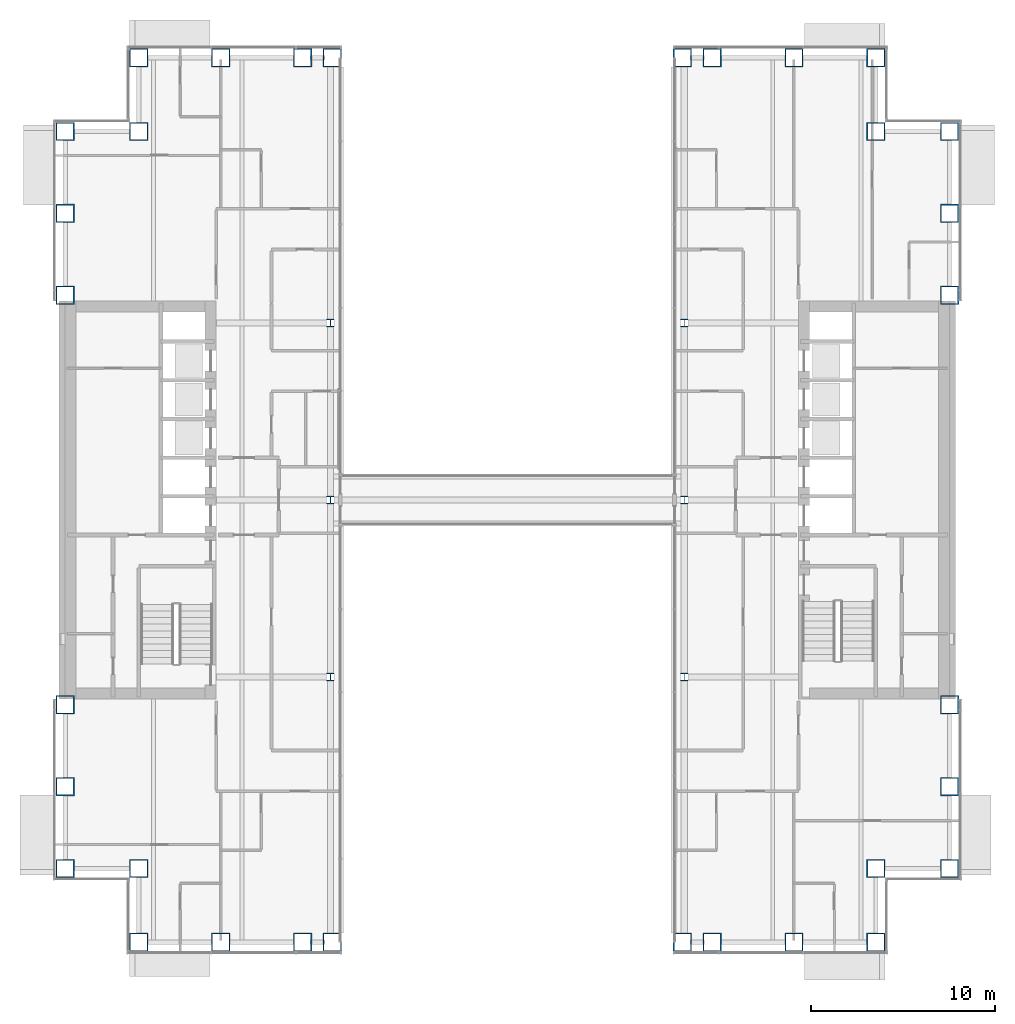
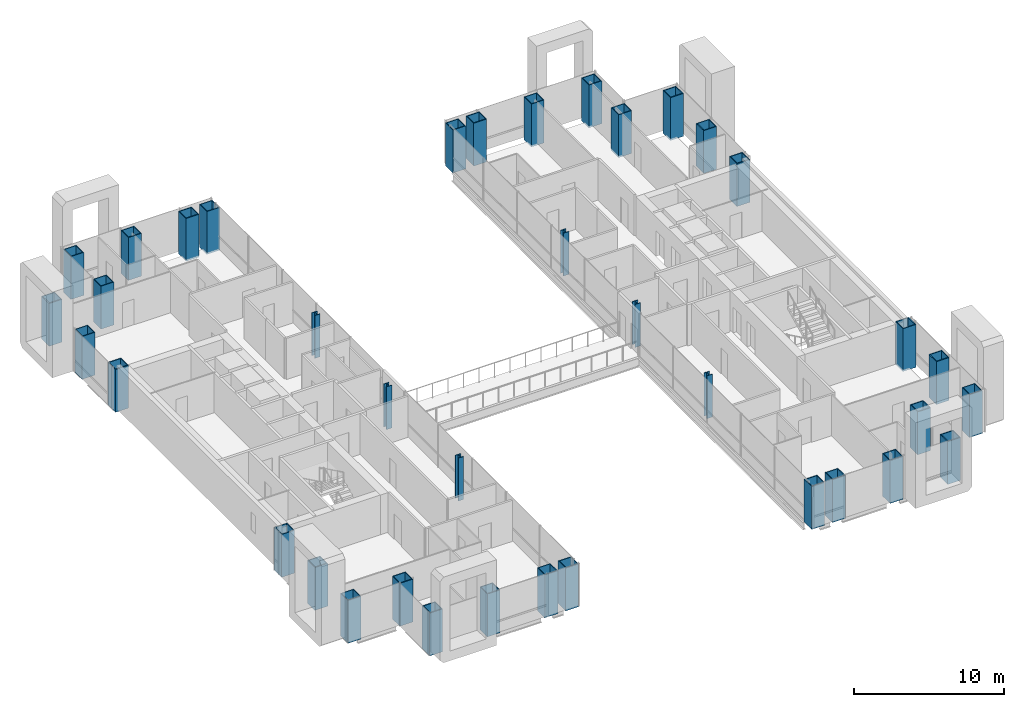
# One storey, part 1 of 21: 38 columns.
"""IFC4 building model written with IfcOpenShell, lengths in metres."""

from ifc_helpers import new_model, si_unit, direction, frame, origin, origin_2d, place, context, subcontext, project, spatial, hollow_rectangle, i_section, extrude, material, material_profile, profile_set, type_object, element, save


model = new_model("IFC4")

# Units and contexts
model_context = context("Model", 3, precision=1e-05, world=origin(), true_north=direction((0.0, 1.0)))
body_context = subcontext(model_context, "Body", "Model", "MODEL_VIEW")
ifc_project = project(units=[si_unit("LENGTHUNIT", "METRE"), si_unit("AREAUNIT", "SQUARE_METRE"), si_unit("VOLUMEUNIT", "CUBIC_METRE"), si_unit("PLANEANGLEUNIT", "RADIAN"), si_unit("MASSUNIT", "GRAM", prefix="KILO")], contexts=[model_context])

# Site, building, storey
site_placement = place(None, origin())
site = spatial("IfcSite", under=ifc_project, at=site_placement, CompositionType="ELEMENT")
building_placement = place(site_placement, origin())
building = spatial("IfcBuilding", under=site, at=building_placement, Name="Cobrizo Arcos Hotel Tower", CompositionType="ELEMENT")
storey_placement = place(building_placement, frame((0.0, 0.0, 74.0)))
storey = spatial("IfcBuildingStorey", under=building, at=storey_placement, Name="L17", CompositionType="ELEMENT", Elevation=74.0)

# Columns
ifc_material_1 = material(Name="Steel ASTM A572 Grade 50", Category="steel")
ifc_material_profile_1 = material_profile(ifc_material_1, hollow_rectangle(XDim=1.0, YDim=1.0, WallThickness=0.06005859375, at=origin_2d()), Name="BOX 1000X1000X60")
ifc_profile_set_1 = profile_set([ifc_material_profile_1], Name="Steel ASTM A572 Grade 50")
column_type_1 = type_object("IfcColumnType", Name="BOX 1000X1000X60 column", PredefinedType="COLUMN", material=ifc_profile_set_1)
for number, where, z_axis, x_axis, name in (
    (1, (-20.0, 24.0, -0.14990234375), (0.0, 0.0, 1.0), (1.0, 0.0, 0.0), "Perimeter column C4, L17, no. 00"),
    (2, (-20.0, -24.0, -0.14990234375), (0.0, 0.0, 1.0), (1.0, 0.0, 0.0), "Perimeter column C4, L17, no. 01"),
    (3, (-15.555908203125, 24.0, -0.14990234375), (0.0, 0.0, 1.0), (1.0, 0.0, 0.0), "Perimeter column C4, L17, no. 02"),
    (4, (-15.555908203125, -24.0, -0.14990234375), (0.0, 0.0, 1.0), (1.0, 0.0, 0.0), "Perimeter column C4, L17, no. 03"),
    (5, (-11.111083984375, 24.0, -0.14990234375), (0.0, 0.0, 1.0), (1.0, 0.0, 0.0), "Perimeter column C4, L17, no. 04"),
    (6, (-11.111083984375, -24.0, -0.14990234375), (0.0, 0.0, 1.0), (1.0, 0.0, 0.0), "Perimeter column C4, L17, no. 05"),
    (7, (11.111083984375, 24.0, -0.14990234375), (0.0, 0.0, 1.0), (1.0, 0.0, 0.0), "Perimeter column C4, L17, no. 06"),
    (8, (11.111083984375, -24.0, -0.14990234375), (0.0, 0.0, 1.0), (1.0, 0.0, 0.0), "Perimeter column C4, L17, no. 07"),
    (9, (15.555908203125, 24.0, -0.14990234375), (0.0, 0.0, 1.0), (1.0, 0.0, 0.0), "Perimeter column C4, L17, no. 08"),
    (10, (15.555908203125, -24.0, -0.14990234375), (0.0, 0.0, 1.0), (1.0, 0.0, 0.0), "Perimeter column C4, L17, no. 09"),
    (11, (20.0, 24.0, -0.14990234375), (0.0, 0.0, 1.0), (1.0, 0.0, 0.0), "Perimeter column C4, L17, no. 10"),
    (12, (20.0, -24.0, -0.14990234375), (0.0, 0.0, 1.0), (1.0, 0.0, 0.0), "Perimeter column C4, L17, no. 11"),
    (13, (24.0, -20.0, -0.14990234375), (0.0, 0.0, 1.0), (1.0, 0.0, 0.0), "Perimeter column C4, L17, no. 12"),
    (14, (-24.0, -20.0, -0.14990234375), (0.0, 0.0, 1.0), (1.0, 0.0, 0.0), "Perimeter column C4, L17, no. 13"),
    (15, (24.0, -15.555908203125, -0.14990234375), (0.0, 0.0, 1.0), (1.0, 0.0, 0.0), "Perimeter column C4, L17, no. 14"),
    (16, (-24.0, -15.555908203125, -0.14990234375), (0.0, 0.0, 1.0), (1.0, 0.0, 0.0), "Perimeter column C4, L17, no. 15"),
    (17, (24.0, -11.111083984375, -0.14990234375), (0.0, 0.0, 1.0), (1.0, 0.0, 0.0), "Perimeter column C4, L17, no. 16"),
    (18, (-24.0, -11.111083984375, -0.14990234375), (0.0, 0.0, 1.0), (1.0, 0.0, 0.0), "Perimeter column C4, L17, no. 17"),
    (19, (24.0, 11.111083984375, -0.14990234375), (0.0, 0.0, 1.0), (1.0, 0.0, 0.0), "Perimeter column C4, L17, no. 18"),
    (20, (-24.0, 11.111083984375, -0.14990234375), (0.0, 0.0, 1.0), (1.0, 0.0, 0.0), "Perimeter column C4, L17, no. 19"),
    (21, (24.0, 15.555908203125, -0.14990234375), (0.0, 0.0, 1.0), (1.0, 0.0, 0.0), "Perimeter column C4, L17, no. 20"),
    (22, (-24.0, 15.555908203125, -0.14990234375), (0.0, 0.0, 1.0), (1.0, 0.0, 0.0), "Perimeter column C4, L17, no. 21"),
    (23, (24.0, 20.0, -0.14990234375), (0.0, 0.0, 1.0), (1.0, 0.0, 0.0), "Perimeter column C4, L17, no. 22"),
    (24, (-24.0, 20.0, -0.14990234375), (0.0, 0.0, 1.0), (1.0, 0.0, 0.0), "Perimeter column C4, L17, no. 23"),
    (25, (-20.0, -20.0, -0.14990234375), (0.0, 0.0, 1.0), (1.0, 0.0, 0.0), "Perimeter column C4, L17, no. 24"),
    (26, (-20.0, 20.0, -0.14990234375), (0.0, 0.0, 1.0), (1.0, 0.0, 0.0), "Perimeter column C4, L17, no. 25"),
    (27, (20.0, -20.0, -0.14990234375), (0.0, 0.0, 1.0), (1.0, 0.0, 0.0), "Perimeter column C4, L17, no. 26"),
    (28, (20.0, 20.0, -0.14990234375), (0.0, 0.0, 1.0), (1.0, 0.0, 0.0), "Perimeter column C4, L17, no. 27"),
    (29, (-9.5, 24.0, -0.14990234375), (0.0, 0.0, 1.0), (1.0, 0.0, 0.0), "Perimeter column C4, L17, no. 28"),
    (30, (-9.5, -24.0, -0.14990234375), (0.0, 0.0, 1.0), (1.0, 0.0, 0.0), "Perimeter column C4, L17, no. 29"),
    (31, (9.5, 24.0, -0.14990234375), (0.0, 0.0, 1.0), (1.0, 0.0, 0.0), "Perimeter column C4, L17, no. 30"),
    (32, (9.5, -24.0, -0.14990234375), (0.0, 0.0, 1.0), (1.0, 0.0, 0.0), "Perimeter column C4, L17, no. 31"),
):
    element("IfcColumn", number, at=place(storey_placement, frame(where, z_axis=z_axis, x_axis=x_axis)), inside=storey, type_object=column_type_1, Name=name, PredefinedType="COLUMN", context=body_context, shape_type="SweptSolid", body=[
        extrude(hollow_rectangle(XDim=1.0, YDim=1.0, WallThickness=0.06005859375, at=origin_2d()), origin(), (0.0, 0.0, 1.0), 3.5),
    ])
ifc_material_2 = material(Name="Steel ASTM A992 Grade 50", Category="steel")
ifc_material_profile_2 = material_profile(ifc_material_2, i_section(OverallWidth=0.408935546875, OverallDepth=0.42431640625, WebThickness=0.03271484375, FlangeThickness=0.052490234375, at=origin_2d()), Name="W14X283")
ifc_profile_set_2 = profile_set([ifc_material_profile_2], Name="Steel ASTM A992 Grade 50")
column_type_2 = type_object("IfcColumnType", Name="W14X283 interior column", PredefinedType="COLUMN", material=ifc_profile_set_2)
for number, where, z_axis, x_axis, name in (
    (33, (-9.60009765625, -9.60009765625, -0.14990234375), (0.0, 0.0, 1.0), (1.0, 0.0, 0.0), "Interior column C5, L17, no. 00"),
    (34, (-9.60009765625, 0.0, -0.14990234375), (0.0, 0.0, 1.0), (1.0, 0.0, 0.0), "Interior column C5, L17, no. 01"),
    (35, (-9.60009765625, 9.60009765625, -0.14990234375), (0.0, 0.0, 1.0), (1.0, 0.0, 0.0), "Interior column C5, L17, no. 02"),
    (36, (9.60009765625, -9.60009765625, -0.14990234375), (0.0, 0.0, 1.0), (1.0, 0.0, 0.0), "Interior column C5, L17, no. 03"),
    (37, (9.60009765625, 0.0, -0.14990234375), (0.0, 0.0, 1.0), (1.0, 0.0, 0.0), "Interior column C5, L17, no. 04"),
    (38, (9.60009765625, 9.60009765625, -0.14990234375), (0.0, 0.0, 1.0), (1.0, 0.0, 0.0), "Interior column C5, L17, no. 05"),
):
    element("IfcColumn", number, at=place(storey_placement, frame(where, z_axis=z_axis, x_axis=x_axis)), inside=storey, type_object=column_type_2, Name=name, PredefinedType="COLUMN", context=body_context, shape_type="SweptSolid", body=[
        extrude(i_section(OverallWidth=0.408935546875, OverallDepth=0.42431640625, WebThickness=0.03271484375, FlangeThickness=0.052490234375, at=origin_2d()), origin(), (0.0, 0.0, 1.0), 3.5),
    ])

save(model, "model.ifc")
